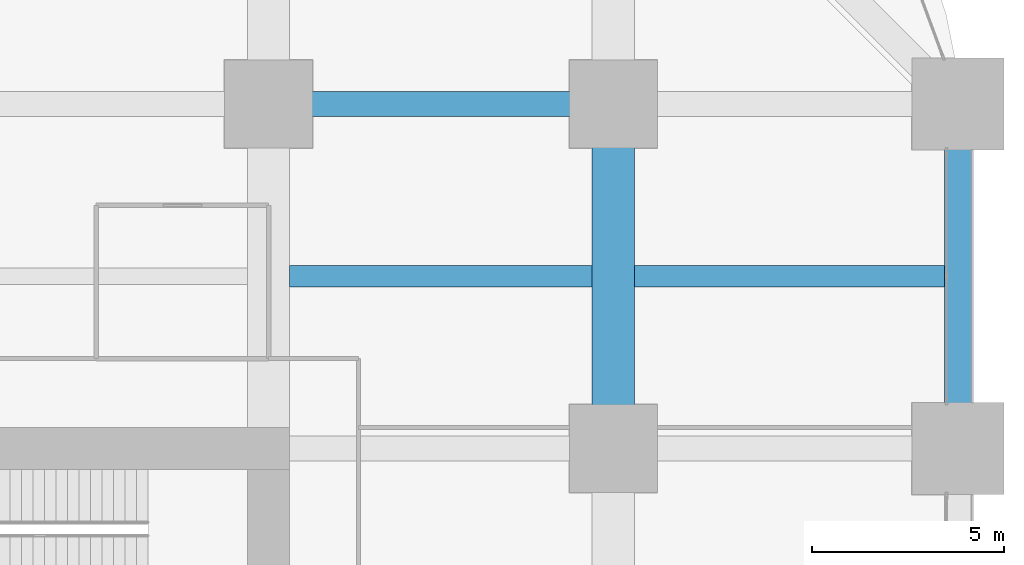
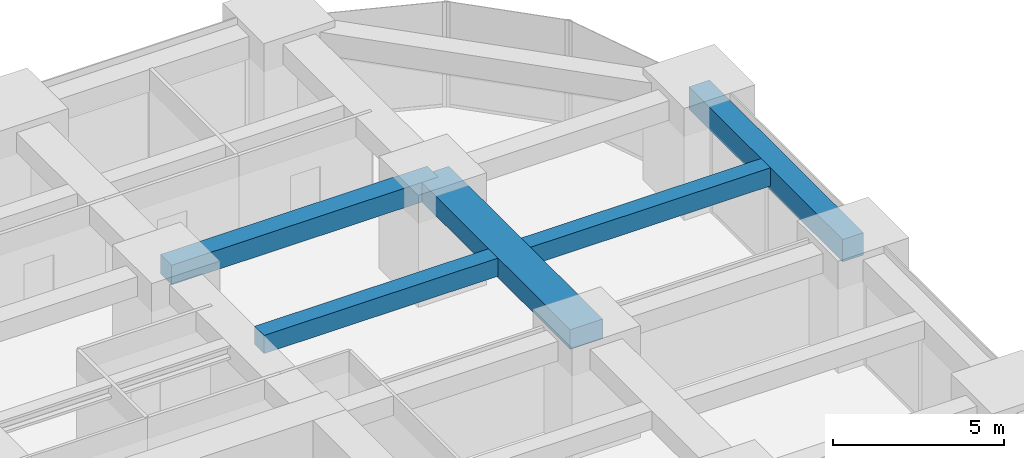
# One storey, part 33 of 44: 5 beams.
"""IFC4 building model written with IfcOpenShell, lengths in metres."""

from ifc_helpers import new_model, si_unit, direction, frame, origin, origin_2d, place, context, subcontext, project, spatial, rectangle, extrude, material, material_profile, profile_set, type_object, element, save


model = new_model("IFC4")

# Units and contexts
model_context = context("Model", 3, precision=1e-05, world=origin(), true_north=direction((0.0, 1.0)))
body_context = subcontext(model_context, "Body", "Model", "MODEL_VIEW")
ifc_project = project(units=[si_unit("LENGTHUNIT", "METRE"), si_unit("AREAUNIT", "SQUARE_METRE"), si_unit("VOLUMEUNIT", "CUBIC_METRE"), si_unit("PLANEANGLEUNIT", "RADIAN"), si_unit("MASSUNIT", "GRAM", prefix="KILO")], contexts=[model_context])

# Site, building, storey
site_placement = place(None, origin())
site = spatial("IfcSite", under=ifc_project, at=site_placement, CompositionType="ELEMENT")
building_placement = place(site_placement, origin())
building = spatial("IfcBuilding", under=site, at=building_placement, Name="Zorevar Civic Tower", CompositionType="ELEMENT")
storey_placement = place(building_placement, frame((0.0, 0.0, 31.800048828125)))
storey = spatial("IfcBuildingStorey", under=building, at=storey_placement, Name="L07", CompositionType="ELEMENT", Elevation=31.800048828125)

# Beams
ifc_material_1 = material(Name="Concrete C50/60", Category="concrete")
ifc_material_profile_1 = material_profile(ifc_material_1, rectangle(XDim=1.10009765625, YDim=0.699951171875, at=origin_2d()), Name="RC 1100x700")
ifc_profile_set_1 = profile_set([ifc_material_profile_1], Name="Concrete C50/60")
beam_type_1 = type_object("IfcBeamType", Name="Beam RC 1100x700", PredefinedType="BEAM", material=ifc_profile_set_1)
beam_1_placement = place(storey_placement, frame((54.0, 36.0, 3.39990234375), z_axis=(0.0, 1.0, 0.0), x_axis=(-1.0, 0.0, 0.0)))
element("IfcBeam", 1, at=beam_1_placement, inside=storey, type_object=beam_type_1, Name="Girder L08", PredefinedType="BEAM", context=body_context, shape_type="SweptSolid", body=[
    extrude(rectangle(XDim=1.10009765625, YDim=0.699951171875, at=origin_2d()), origin(), (0.0, 0.0, 1.0), 9.0),
])
ifc_material_2 = material(Name="Concrete C50/60", Category="concrete")
ifc_material_profile_2 = material_profile(ifc_material_2, rectangle(XDim=0.550048828125, YDim=0.64990234375, at=origin_2d()), Name="RC 550x650")
ifc_profile_set_2 = profile_set([ifc_material_profile_2], Name="Concrete C50/60")
beam_type_2 = type_object("IfcBeamType", Name="Beam RC 550x650", PredefinedType="BEAM", material=ifc_profile_set_2)
beam_2_placement = place(storey_placement, frame((45.550048828125, 40.5, 3.425048828125), z_axis=(1.0, 0.0, 0.0), x_axis=(0.0, 1.0, 0.0)))
element("IfcBeam", 2, at=beam_2_placement, inside=storey, type_object=beam_type_2, Name="Secondary beam L08", PredefinedType="BEAM", context=body_context, shape_type="SweptSolid", body=[
    extrude(rectangle(XDim=0.550048828125, YDim=0.64990234375, at=origin_2d()), origin(), (0.0, 0.0, 1.0), 7.89990234375),
])
beam_3_placement = place(storey_placement, frame((54.550048828125, 40.5, 3.425048828125), z_axis=(1.0, 0.0, 0.0), x_axis=(0.0, 1.0, 0.0)))
element("IfcBeam", 3, at=beam_3_placement, inside=storey, type_object=beam_type_2, Name="Secondary beam L08", PredefinedType="BEAM", context=body_context, shape_type="SweptSolid", body=[
    extrude(rectangle(XDim=0.550048828125, YDim=0.64990234375, at=origin_2d()), origin(), (0.0, 0.0, 1.0), 8.099853515625),
])
ifc_material_3 = material(Name="Concrete C50/60", Category="concrete")
ifc_material_profile_3 = material_profile(ifc_material_3, rectangle(XDim=0.64990234375, YDim=0.699951171875, at=origin_2d()), Name="RC 650x700")
ifc_profile_set_3 = profile_set([ifc_material_profile_3], Name="Concrete C50/60")
beam_type_3 = type_object("IfcBeamType", Name="Beam RC 650x700", PredefinedType="BEAM", material=ifc_profile_set_3)
beam_4_placement = place(storey_placement, frame((45.0, 45.0, 3.39990234375), z_axis=(1.0, 0.0, 0.0), x_axis=(0.0, 1.0, 0.0)))
element("IfcBeam", 4, at=beam_4_placement, inside=storey, type_object=beam_type_3, Name="Girder L08", PredefinedType="BEAM", context=body_context, shape_type="SweptSolid", body=[
    extrude(rectangle(XDim=0.64990234375, YDim=0.699951171875, at=origin_2d()), origin(), (0.0, 0.0, 1.0), 9.0),
])
ifc_material_4 = material(Name="Concrete C50/60", Category="concrete")
ifc_material_profile_4 = material_profile(ifc_material_4, rectangle(XDim=0.699951171875, YDim=0.800048828125, at=origin_2d()), Name="RC 700x800")
ifc_profile_set_4 = profile_set([ifc_material_profile_4], Name="Concrete C50/60")
beam_type_4 = type_object("IfcBeamType", Name="Edge beam RC 700x800", PredefinedType="SPANDREL", material=ifc_profile_set_4)
beam_5_placement = place(storey_placement, frame((63.0, 36.0, 3.349853515625), z_axis=(0.0, 1.0, 0.0), x_axis=(-1.0, 0.0, 0.0)))
element("IfcBeam", 5, at=beam_5_placement, inside=storey, type_object=beam_type_4, Name="Edge beam L08", PredefinedType="SPANDREL", context=body_context, shape_type="SweptSolid", body=[
    extrude(rectangle(XDim=0.699951171875, YDim=0.800048828125, at=origin_2d()), origin(), (0.0, 0.0, 1.0), 9.0),
])

save(model, "model.ifc")
